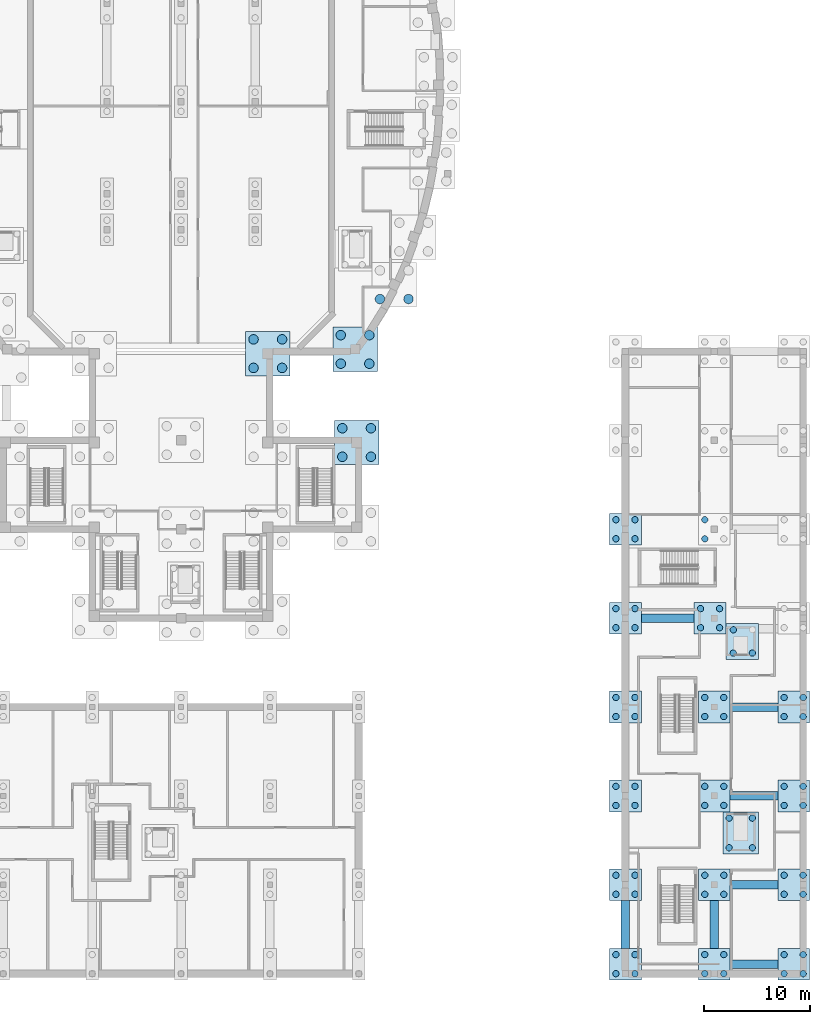
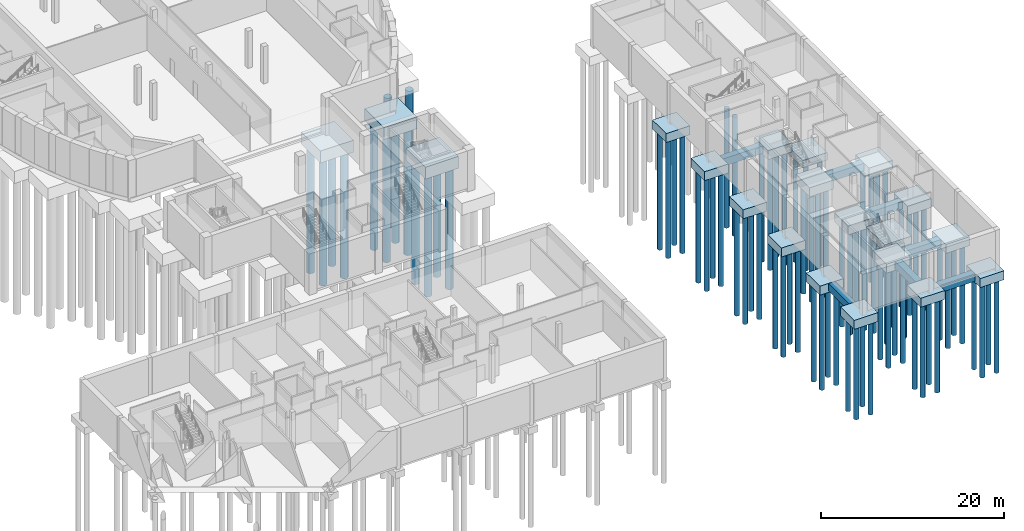
# One storey, part 3 of 33: 83 piles, 27 footings.
"""IFC4 building model written with IfcOpenShell, lengths in metres."""

from ifc_helpers import new_model, si_unit, direction, frame, origin, origin_2d, place, context, subcontext, project, spatial, polyline, circle, outline, extrude, material, material_profile, profile_set, type_object, element, save


model = new_model("IFC4")

# Units and contexts
model_context = context("Model", 3, precision=1e-05, world=origin(), true_north=direction((0.0, 1.0)))
body_context = subcontext(model_context, "Body", "Model", "MODEL_VIEW")
ifc_project = project(units=[si_unit("LENGTHUNIT", "METRE"), si_unit("AREAUNIT", "SQUARE_METRE"), si_unit("VOLUMEUNIT", "CUBIC_METRE"), si_unit("PLANEANGLEUNIT", "RADIAN"), si_unit("MASSUNIT", "GRAM", prefix="KILO")], contexts=[model_context])

# Site, building, storey
site_placement = place(None, origin())
site = spatial("IfcSite", under=ifc_project, at=site_placement, CompositionType="ELEMENT")
building_placement = place(site_placement, origin())
building = spatial("IfcBuilding", under=site, at=building_placement, Name="Larchfold Concert Hall", CompositionType="ELEMENT")
storey_placement = place(building_placement, frame((0.0, 0.0, -5.0)))
storey = spatial("IfcBuildingStorey", under=building, at=storey_placement, Name="B1", CompositionType="ELEMENT", Elevation=-5.0)

# Piles
ifc_material_1 = material(Name="Concrete C30/37", Category="concrete")
ifc_material_profile_1 = material_profile(ifc_material_1, circle(Radius=0.300048828125, at=origin_2d()))
ifc_profile_set_1 = profile_set([ifc_material_profile_1], Name="Concrete C30/37")
pile_type_1 = type_object("IfcPileType", Name="Bored pile D600", PredefinedType="BORED", material=ifc_profile_set_1)
for number, where, z_axis, x_axis, name in (
    (1, (83.699951171875, 0.60009765625, -1.60009765625), (0.0, 0.0, -1.0), (1.0, 0.0, 0.0), "Pile P0275"),
    (2, (83.699951171875, 2.39990234375, -1.60009765625), (0.0, 0.0, -1.0), (1.0, 0.0, 0.0), "Pile P0276"),
    (3, (85.5, 0.60009765625, -1.60009765625), (0.0, 0.0, -1.0), (1.0, 0.0, 0.0), "Pile P0277"),
    (4, (85.5, 2.39990234375, -1.60009765625), (0.0, 0.0, -1.0), (1.0, 0.0, 0.0), "Pile P0278"),
):
    element("IfcPile", number, at=place(storey_placement, frame(where, z_axis=z_axis, x_axis=x_axis)), inside=storey, type_object=pile_type_1, Name=name, PredefinedType="BORED", context=body_context, shape_type="SweptSolid", body=[
        extrude(circle(Radius=0.300048828125, at=origin_2d()), origin(), (0.0, 0.0, 1.0), 12.524169921875),
    ])
for number, where, z_axis, x_axis, name in (
    (5, (83.699951171875, 8.10009765625, -1.60009765625), (0.0, 0.0, -1.0), (1.0, 0.0, 0.0), "Pile P0279"),
    (6, (83.699951171875, 9.89990234375, -1.60009765625), (0.0, 0.0, -1.0), (1.0, 0.0, 0.0), "Pile P0280"),
    (7, (85.5, 8.10009765625, -1.60009765625), (0.0, 0.0, -1.0), (1.0, 0.0, 0.0), "Pile P0281"),
    (8, (85.5, 9.89990234375, -1.60009765625), (0.0, 0.0, -1.0), (1.0, 0.0, 0.0), "Pile P0282"),
):
    element("IfcPile", number, at=place(storey_placement, frame(where, z_axis=z_axis, x_axis=x_axis)), inside=storey, type_object=pile_type_1, Name=name, PredefinedType="BORED", context=body_context, shape_type="SweptSolid", body=[
        extrude(circle(Radius=0.300048828125, at=origin_2d()), origin(), (0.0, 0.0, 1.0), 13.144775390625),
    ])
for number, where, z_axis, x_axis, name in (
    (9, (83.699951171875, 16.5, -1.60009765625), (0.0, 0.0, -1.0), (1.0, 0.0, 0.0), "Pile P0283"),
    (10, (83.699951171875, 18.300048828125, -1.60009765625), (0.0, 0.0, -1.0), (1.0, 0.0, 0.0), "Pile P0284"),
    (11, (85.5, 16.5, -1.60009765625), (0.0, 0.0, -1.0), (1.0, 0.0, 0.0), "Pile P0285"),
    (12, (85.5, 18.300048828125, -1.60009765625), (0.0, 0.0, -1.0), (1.0, 0.0, 0.0), "Pile P0286"),
):
    element("IfcPile", number, at=place(storey_placement, frame(where, z_axis=z_axis, x_axis=x_axis)), inside=storey, type_object=pile_type_1, Name=name, PredefinedType="BORED", context=body_context, shape_type="SweptSolid", body=[
        extrude(circle(Radius=0.300048828125, at=origin_2d()), origin(), (0.0, 0.0, 1.0), 13.839599609375),
    ])
for number, where, z_axis, x_axis, name in (
    (13, (83.699951171875, 24.89990234375, -1.60009765625), (0.0, 0.0, -1.0), (1.0, 0.0, 0.0), "Pile P0287"),
    (14, (83.699951171875, 26.699951171875, -1.60009765625), (0.0, 0.0, -1.0), (1.0, 0.0, 0.0), "Pile P0288"),
    (15, (85.5, 24.89990234375, -1.60009765625), (0.0, 0.0, -1.0), (1.0, 0.0, 0.0), "Pile P0289"),
    (16, (85.5, 26.699951171875, -1.60009765625), (0.0, 0.0, -1.0), (1.0, 0.0, 0.0), "Pile P0290"),
):
    element("IfcPile", number, at=place(storey_placement, frame(where, z_axis=z_axis, x_axis=x_axis)), inside=storey, type_object=pile_type_1, Name=name, PredefinedType="BORED", context=body_context, shape_type="SweptSolid", body=[
        extrude(circle(Radius=0.300048828125, at=origin_2d()), origin(), (0.0, 0.0, 1.0), 14.53466796875),
    ])
for number, where, z_axis, x_axis, name in (
    (17, (83.699951171875, 33.300048828125, -1.60009765625), (0.0, 0.0, -1.0), (1.0, 0.0, 0.0), "Pile P0291"),
    (18, (83.699951171875, 35.10009765625, -1.60009765625), (0.0, 0.0, -1.0), (1.0, 0.0, 0.0), "Pile P0292"),
    (19, (85.5, 33.300048828125, -1.60009765625), (0.0, 0.0, -1.0), (1.0, 0.0, 0.0), "Pile P0293"),
    (20, (85.5, 35.10009765625, -1.60009765625), (0.0, 0.0, -1.0), (1.0, 0.0, 0.0), "Pile P0294"),
):
    element("IfcPile", number, at=place(storey_placement, frame(where, z_axis=z_axis, x_axis=x_axis)), inside=storey, type_object=pile_type_1, Name=name, PredefinedType="BORED", context=body_context, shape_type="SweptSolid", body=[
        extrude(circle(Radius=0.300048828125, at=origin_2d()), origin(), (0.0, 0.0, 1.0), 15.229736328125),
    ])
for number, where, z_axis, x_axis, name in (
    (21, (83.699951171875, 41.699951171875, -1.60009765625), (0.0, 0.0, -1.0), (1.0, 0.0, 0.0), "Pile P0295"),
    (22, (83.699951171875, 43.5, -1.60009765625), (0.0, 0.0, -1.0), (1.0, 0.0, 0.0), "Pile P0296"),
    (23, (85.5, 41.699951171875, -1.60009765625), (0.0, 0.0, -1.0), (1.0, 0.0, 0.0), "Pile P0297"),
    (24, (85.5, 43.5, -1.60009765625), (0.0, 0.0, -1.0), (1.0, 0.0, 0.0), "Pile P0298"),
):
    element("IfcPile", number, at=place(storey_placement, frame(where, z_axis=z_axis, x_axis=x_axis)), inside=storey, type_object=pile_type_1, Name=name, PredefinedType="BORED", context=body_context, shape_type="SweptSolid", body=[
        extrude(circle(Radius=0.300048828125, at=origin_2d()), origin(), (0.0, 0.0, 1.0), 15.9248046875),
    ])
for number, where, z_axis, x_axis, name in (
    (25, (92.10009765625, 0.60009765625, -1.60009765625), (0.0, 0.0, -1.0), (1.0, 0.0, 0.0), "Pile P0307"),
    (26, (92.10009765625, 2.39990234375, -1.60009765625), (0.0, 0.0, -1.0), (1.0, 0.0, 0.0), "Pile P0308"),
    (27, (93.89990234375, 0.60009765625, -1.60009765625), (0.0, 0.0, -1.0), (1.0, 0.0, 0.0), "Pile P0309"),
    (28, (93.89990234375, 2.39990234375, -1.60009765625), (0.0, 0.0, -1.0), (1.0, 0.0, 0.0), "Pile P0310"),
):
    element("IfcPile", number, at=place(storey_placement, frame(where, z_axis=z_axis, x_axis=x_axis)), inside=storey, type_object=pile_type_1, Name=name, PredefinedType="BORED", context=body_context, shape_type="SweptSolid", body=[
        extrude(circle(Radius=0.300048828125, at=origin_2d()), origin(), (0.0, 0.0, 1.0), 12.524169921875),
    ])
for number, where, z_axis, x_axis, name in (
    (29, (92.10009765625, 8.10009765625, -1.60009765625), (0.0, 0.0, -1.0), (1.0, 0.0, 0.0), "Pile P0311"),
    (30, (92.10009765625, 9.89990234375, -1.60009765625), (0.0, 0.0, -1.0), (1.0, 0.0, 0.0), "Pile P0312"),
    (31, (93.89990234375, 8.10009765625, -1.60009765625), (0.0, 0.0, -1.0), (1.0, 0.0, 0.0), "Pile P0313"),
    (32, (93.89990234375, 9.89990234375, -1.60009765625), (0.0, 0.0, -1.0), (1.0, 0.0, 0.0), "Pile P0314"),
):
    element("IfcPile", number, at=place(storey_placement, frame(where, z_axis=z_axis, x_axis=x_axis)), inside=storey, type_object=pile_type_1, Name=name, PredefinedType="BORED", context=body_context, shape_type="SweptSolid", body=[
        extrude(circle(Radius=0.300048828125, at=origin_2d()), origin(), (0.0, 0.0, 1.0), 13.144775390625),
    ])
for number, where, z_axis, x_axis, name in (
    (33, (92.10009765625, 16.5, -1.60009765625), (0.0, 0.0, -1.0), (1.0, 0.0, 0.0), "Pile P0315"),
    (34, (92.10009765625, 18.300048828125, -1.60009765625), (0.0, 0.0, -1.0), (1.0, 0.0, 0.0), "Pile P0316"),
    (35, (93.89990234375, 16.5, -1.60009765625), (0.0, 0.0, -1.0), (1.0, 0.0, 0.0), "Pile P0317"),
    (36, (93.89990234375, 18.300048828125, -1.60009765625), (0.0, 0.0, -1.0), (1.0, 0.0, 0.0), "Pile P0318"),
):
    element("IfcPile", number, at=place(storey_placement, frame(where, z_axis=z_axis, x_axis=x_axis)), inside=storey, type_object=pile_type_1, Name=name, PredefinedType="BORED", context=body_context, shape_type="SweptSolid", body=[
        extrude(circle(Radius=0.300048828125, at=origin_2d()), origin(), (0.0, 0.0, 1.0), 13.839599609375),
    ])
for number, where, z_axis, x_axis, name in (
    (37, (92.10009765625, 24.89990234375, -1.60009765625), (0.0, 0.0, -1.0), (1.0, 0.0, 0.0), "Pile P0319"),
    (38, (92.10009765625, 26.699951171875, -1.60009765625), (0.0, 0.0, -1.0), (1.0, 0.0, 0.0), "Pile P0320"),
    (39, (93.89990234375, 24.89990234375, -1.60009765625), (0.0, 0.0, -1.0), (1.0, 0.0, 0.0), "Pile P0321"),
    (40, (93.89990234375, 26.699951171875, -1.60009765625), (0.0, 0.0, -1.0), (1.0, 0.0, 0.0), "Pile P0322"),
):
    element("IfcPile", number, at=place(storey_placement, frame(where, z_axis=z_axis, x_axis=x_axis)), inside=storey, type_object=pile_type_1, Name=name, PredefinedType="BORED", context=body_context, shape_type="SweptSolid", body=[
        extrude(circle(Radius=0.300048828125, at=origin_2d()), origin(), (0.0, 0.0, 1.0), 14.53466796875),
    ])
for number, where, z_axis, x_axis, name in (
    (41, (91.699951171875, 33.300048828125, -1.60009765625), (0.0, 0.0, -1.0), (1.0, 0.0, 0.0), "Pile P0323"),
    (42, (91.699951171875, 35.10009765625, -1.60009765625), (0.0, 0.0, -1.0), (1.0, 0.0, 0.0), "Pile P0324"),
    (43, (93.5, 33.300048828125, -1.60009765625), (0.0, 0.0, -1.0), (1.0, 0.0, 0.0), "Pile P0325"),
    (44, (93.5, 35.10009765625, -1.60009765625), (0.0, 0.0, -1.0), (1.0, 0.0, 0.0), "Pile P0326"),
):
    element("IfcPile", number, at=place(storey_placement, frame(where, z_axis=z_axis, x_axis=x_axis)), inside=storey, type_object=pile_type_1, Name=name, PredefinedType="BORED", context=body_context, shape_type="SweptSolid", body=[
        extrude(circle(Radius=0.300048828125, at=origin_2d()), origin(), (0.0, 0.0, 1.0), 15.229736328125),
    ])
for number, where, z_axis, x_axis, name in (
    (45, (92.10009765625, 41.699951171875, -1.60009765625), (0.0, 0.0, -1.0), (1.0, 0.0, 0.0), "Pile P0327"),
    (46, (92.10009765625, 43.5, -1.60009765625), (0.0, 0.0, -1.0), (1.0, 0.0, 0.0), "Pile P0328"),
):
    element("IfcPile", number, at=place(storey_placement, frame(where, z_axis=z_axis, x_axis=x_axis)), inside=storey, type_object=pile_type_1, Name=name, PredefinedType="BORED", context=body_context, shape_type="SweptSolid", body=[
        extrude(circle(Radius=0.300048828125, at=origin_2d()), origin(), (0.0, 0.0, 1.0), 15.9248046875),
    ])
for number, where, z_axis, x_axis, name in (
    (47, (99.60009765625, 0.60009765625, -1.60009765625), (0.0, 0.0, -1.0), (1.0, 0.0, 0.0), "Pile P0339"),
    (48, (99.60009765625, 2.39990234375, -1.60009765625), (0.0, 0.0, -1.0), (1.0, 0.0, 0.0), "Pile P0340"),
    (49, (101.39990234375, 0.60009765625, -1.60009765625), (0.0, 0.0, -1.0), (1.0, 0.0, 0.0), "Pile P0341"),
    (50, (101.39990234375, 2.39990234375, -1.60009765625), (0.0, 0.0, -1.0), (1.0, 0.0, 0.0), "Pile P0342"),
):
    element("IfcPile", number, at=place(storey_placement, frame(where, z_axis=z_axis, x_axis=x_axis)), inside=storey, type_object=pile_type_1, Name=name, PredefinedType="BORED", context=body_context, shape_type="SweptSolid", body=[
        extrude(circle(Radius=0.300048828125, at=origin_2d()), origin(), (0.0, 0.0, 1.0), 12.524169921875),
    ])
for number, where, z_axis, x_axis, name in (
    (51, (99.60009765625, 8.10009765625, -1.60009765625), (0.0, 0.0, -1.0), (1.0, 0.0, 0.0), "Pile P0343"),
    (52, (99.60009765625, 9.89990234375, -1.60009765625), (0.0, 0.0, -1.0), (1.0, 0.0, 0.0), "Pile P0344"),
    (53, (101.39990234375, 8.10009765625, -1.60009765625), (0.0, 0.0, -1.0), (1.0, 0.0, 0.0), "Pile P0345"),
    (54, (101.39990234375, 9.89990234375, -1.60009765625), (0.0, 0.0, -1.0), (1.0, 0.0, 0.0), "Pile P0346"),
):
    element("IfcPile", number, at=place(storey_placement, frame(where, z_axis=z_axis, x_axis=x_axis)), inside=storey, type_object=pile_type_1, Name=name, PredefinedType="BORED", context=body_context, shape_type="SweptSolid", body=[
        extrude(circle(Radius=0.300048828125, at=origin_2d()), origin(), (0.0, 0.0, 1.0), 13.144775390625),
    ])
for number, where, z_axis, x_axis, name in (
    (55, (99.60009765625, 16.5, -1.60009765625), (0.0, 0.0, -1.0), (1.0, 0.0, 0.0), "Pile P0347"),
    (56, (99.60009765625, 18.300048828125, -1.60009765625), (0.0, 0.0, -1.0), (1.0, 0.0, 0.0), "Pile P0348"),
    (57, (101.39990234375, 16.5, -1.60009765625), (0.0, 0.0, -1.0), (1.0, 0.0, 0.0), "Pile P0349"),
    (58, (101.39990234375, 18.300048828125, -1.60009765625), (0.0, 0.0, -1.0), (1.0, 0.0, 0.0), "Pile P0350"),
):
    element("IfcPile", number, at=place(storey_placement, frame(where, z_axis=z_axis, x_axis=x_axis)), inside=storey, type_object=pile_type_1, Name=name, PredefinedType="BORED", context=body_context, shape_type="SweptSolid", body=[
        extrude(circle(Radius=0.300048828125, at=origin_2d()), origin(), (0.0, 0.0, 1.0), 13.839599609375),
    ])
for number, where, z_axis, x_axis, name in (
    (59, (99.60009765625, 24.89990234375, -1.60009765625), (0.0, 0.0, -1.0), (1.0, 0.0, 0.0), "Pile P0351"),
    (60, (99.60009765625, 26.699951171875, -1.60009765625), (0.0, 0.0, -1.0), (1.0, 0.0, 0.0), "Pile P0352"),
    (61, (101.39990234375, 24.89990234375, -1.60009765625), (0.0, 0.0, -1.0), (1.0, 0.0, 0.0), "Pile P0353"),
    (62, (101.39990234375, 26.699951171875, -1.60009765625), (0.0, 0.0, -1.0), (1.0, 0.0, 0.0), "Pile P0354"),
):
    element("IfcPile", number, at=place(storey_placement, frame(where, z_axis=z_axis, x_axis=x_axis)), inside=storey, type_object=pile_type_1, Name=name, PredefinedType="BORED", context=body_context, shape_type="SweptSolid", body=[
        extrude(circle(Radius=0.300048828125, at=origin_2d()), origin(), (0.0, 0.0, 1.0), 14.53466796875),
    ])
pile_1_placement = place(storey_placement, frame((94.400146484375, 12.5, -2.300048828125), z_axis=(0.0, 0.0, -1.0), x_axis=(1.0, 0.0, 0.0)))
element("IfcPile", 63, at=pile_1_placement, inside=storey, type_object=pile_type_1, Name="Pile P0383", PredefinedType="BORED", context=body_context, shape_type="SweptSolid", body=[
    extrude(circle(Radius=0.300048828125, at=origin_2d()), origin(), (0.0, 0.0, 1.0), 12.734375),
])
pile_2_placement = place(storey_placement, frame((94.400146484375, 15.300048828125, -2.300048828125), z_axis=(0.0, 0.0, -1.0), x_axis=(1.0, 0.0, 0.0)))
element("IfcPile", 64, at=pile_2_placement, inside=storey, type_object=pile_type_1, Name="Pile P0384", PredefinedType="BORED", context=body_context, shape_type="SweptSolid", body=[
    extrude(circle(Radius=0.300048828125, at=origin_2d()), origin(), (0.0, 0.0, 1.0), 12.966064453125),
])
pile_3_placement = place(storey_placement, frame((96.60009765625, 12.5, -2.300048828125), z_axis=(0.0, 0.0, -1.0), x_axis=(1.0, 0.0, 0.0)))
element("IfcPile", 65, at=pile_3_placement, inside=storey, type_object=pile_type_1, Name="Pile P0385", PredefinedType="BORED", context=body_context, shape_type="SweptSolid", body=[
    extrude(circle(Radius=0.300048828125, at=origin_2d()), origin(), (0.0, 0.0, 1.0), 12.734375),
])
pile_4_placement = place(storey_placement, frame((96.60009765625, 15.300048828125, -2.300048828125), z_axis=(0.0, 0.0, -1.0), x_axis=(1.0, 0.0, 0.0)))
element("IfcPile", 66, at=pile_4_placement, inside=storey, type_object=pile_type_1, Name="Pile P0386", PredefinedType="BORED", context=body_context, shape_type="SweptSolid", body=[
    extrude(circle(Radius=0.300048828125, at=origin_2d()), origin(), (0.0, 0.0, 1.0), 12.966064453125),
])
pile_5_placement = place(storey_placement, frame((94.800048828125, 30.900146484375, -2.300048828125), z_axis=(0.0, 0.0, -1.0), x_axis=(1.0, 0.0, 0.0)))
element("IfcPile", 67, at=pile_5_placement, inside=storey, type_object=pile_type_1, Name="Pile P0387", PredefinedType="BORED", context=body_context, shape_type="SweptSolid", body=[
    extrude(circle(Radius=0.300048828125, at=origin_2d()), origin(), (0.0, 0.0, 1.0), 14.2568359375),
])
pile_6_placement = place(storey_placement, frame((94.800048828125, 33.10009765625, -2.300048828125), z_axis=(0.0, 0.0, -1.0), x_axis=(1.0, 0.0, 0.0)))
element("IfcPile", 68, at=pile_6_placement, inside=storey, type_object=pile_type_1, Name="Pile P0388", PredefinedType="BORED", context=body_context, shape_type="SweptSolid", body=[
    extrude(circle(Radius=0.300048828125, at=origin_2d()), origin(), (0.0, 0.0, 1.0), 14.438720703125),
])
pile_7_placement = place(storey_placement, frame((96.60009765625, 30.900146484375, -2.300048828125), z_axis=(0.0, 0.0, -1.0), x_axis=(1.0, 0.0, 0.0)))
element("IfcPile", 69, at=pile_7_placement, inside=storey, type_object=pile_type_1, Name="Pile P0389", PredefinedType="BORED", context=body_context, shape_type="SweptSolid", body=[
    extrude(circle(Radius=0.300048828125, at=origin_2d()), origin(), (0.0, 0.0, 1.0), 14.2568359375),
])
ifc_material_2 = material(Name="Concrete C30/37", Category="concrete")
ifc_material_profile_2 = material_profile(ifc_material_2, circle(Radius=0.449951171875, at=origin_2d()))
ifc_profile_set_2 = profile_set([ifc_material_profile_2], Name="Concrete C30/37")
pile_type_2 = type_object("IfcPileType", Name="Bored pile D900", PredefinedType="BORED", material=ifc_profile_set_2)
for number, where, z_axis, x_axis, name in (
    (70, (49.449951171875, 57.849853515625, -2.0), (0.0, 0.0, -1.0), (1.0, 0.0, 0.0), "Pile P0195"),
    (71, (49.449951171875, 60.550048828125, -2.0), (0.0, 0.0, -1.0), (1.0, 0.0, 0.0), "Pile P0196"),
    (72, (52.150146484375, 57.849853515625, -2.0), (0.0, 0.0, -1.0), (1.0, 0.0, 0.0), "Pile P0197"),
    (73, (52.150146484375, 60.550048828125, -2.0), (0.0, 0.0, -1.0), (1.0, 0.0, 0.0), "Pile P0198"),
):
    element("IfcPile", number, at=place(storey_placement, frame(where, z_axis=z_axis, x_axis=x_axis)), inside=storey, type_object=pile_type_2, Name=name, PredefinedType="BORED", context=body_context, shape_type="SweptSolid", body=[
        extrude(circle(Radius=0.449951171875, at=origin_2d()), origin(), (0.0, 0.0, 1.0), 16.8984375),
    ])
for number, where, z_axis, x_axis, name in (
    (74, (57.697021484375, 58.25, -2.0), (0.0, 0.0, -1.0), (1.0, 0.0, 0.0), "Pile P0215"),
    (75, (57.697021484375, 60.949951171875, -2.0), (0.0, 0.0, -1.0), (1.0, 0.0, 0.0), "Pile P0216"),
    (76, (60.397216796875, 58.25, -2.0), (0.0, 0.0, -1.0), (1.0, 0.0, 0.0), "Pile P0217"),
    (77, (60.397216796875, 60.949951171875, -2.0), (0.0, 0.0, -1.0), (1.0, 0.0, 0.0), "Pile P0218"),
):
    element("IfcPile", number, at=place(storey_placement, frame(where, z_axis=z_axis, x_axis=x_axis)), inside=storey, type_object=pile_type_2, Name=name, PredefinedType="BORED", context=body_context, shape_type="SweptSolid", body=[
        extrude(circle(Radius=0.449951171875, at=origin_2d()), origin(), (0.0, 0.0, 1.0), 16.931396484375),
    ])
for number, where, z_axis, x_axis, name in (
    (78, (57.849853515625, 49.449951171875, -2.0), (0.0, 0.0, -1.0), (1.0, 0.0, 0.0), "Pile P0223"),
    (79, (57.849853515625, 52.150146484375, -2.0), (0.0, 0.0, -1.0), (1.0, 0.0, 0.0), "Pile P0224"),
    (80, (60.550048828125, 49.449951171875, -2.0), (0.0, 0.0, -1.0), (1.0, 0.0, 0.0), "Pile P0225"),
    (81, (60.550048828125, 52.150146484375, -2.0), (0.0, 0.0, -1.0), (1.0, 0.0, 0.0), "Pile P0226"),
):
    element("IfcPile", number, at=place(storey_placement, frame(where, z_axis=z_axis, x_axis=x_axis)), inside=storey, type_object=pile_type_2, Name=name, PredefinedType="BORED", context=body_context, shape_type="SweptSolid", body=[
        extrude(circle(Radius=0.449951171875, at=origin_2d()), origin(), (0.0, 0.0, 1.0), 16.203369140625),
    ])
for number, where, z_axis, x_axis, name in (
    (82, (61.398193359375, 64.359130859375, -2.0), (0.0, 0.0, -1.0), (1.0, 0.0, 0.0), "Pile P0243"),
    (83, (64.09814453125, 64.359130859375, -2.0), (0.0, 0.0, -1.0), (1.0, 0.0, 0.0), "Pile P0245"),
):
    element("IfcPile", number, at=place(storey_placement, frame(where, z_axis=z_axis, x_axis=x_axis)), inside=storey, type_object=pile_type_2, Name=name, PredefinedType="BORED", context=body_context, shape_type="SweptSolid", body=[
        extrude(circle(Radius=0.449951171875, at=origin_2d()), origin(), (0.0, 0.0, 1.0), 17.43701171875),
    ])

# Footings
ifc_material_3 = material(Name="Concrete C30/37", Category="concrete")
footing_type_1 = type_object("IfcFootingType", Name="Pad footing 3100x3400x1000", PredefinedType="PAD_FOOTING", material=ifc_material_3)
footing_1_placement = place(storey_placement, frame((0.0, 0.0, -2.39990234375)))
element("IfcFooting", 84, at=footing_1_placement, inside=storey, type_object=footing_type_1, Name="Pit footing PC0119", PredefinedType="PAD_FOOTING", context=body_context, shape_type="SweptSolid", body=[
    extrude(outline(polyline([(97.199951171875, 30.300048828125), (97.199951171875, 33.7001953125), (94.10009765625, 33.7001953125), (94.10009765625, 30.300048828125), (97.199951171875, 30.300048828125)])), origin(), (0.0, 0.0, 1.0), 1.0),
])
ifc_material_4 = material(Name="Concrete C30/37", Category="concrete")
footing_type_2 = type_object("IfcFootingType", Name="Pad footing 3400x4000x1000", PredefinedType="PAD_FOOTING", material=ifc_material_4)
footing_2_placement = place(storey_placement, frame((0.0, 0.0, -2.39990234375)))
element("IfcFooting", 85, at=footing_2_placement, inside=storey, type_object=footing_type_2, Name="Pit footing PC0118", PredefinedType="PAD_FOOTING", context=body_context, shape_type="SweptSolid", body=[
    extrude(outline(polyline([(97.2001953125, 11.89990234375), (97.2001953125, 15.89990234375), (93.800048828125, 15.89990234375), (93.800048828125, 11.89990234375), (97.2001953125, 11.89990234375)])), origin(), (0.0, 0.0, 1.0), 1.0),
])
ifc_material_5 = material(Name="Concrete C30/37", Category="concrete")
footing_type_3 = type_object("IfcFootingType", Name="Pile cap 3000x3000x1200", PredefinedType="PILE_CAP", material=ifc_material_5)
footing_3_placement = place(storey_placement, frame((0.0, 0.0, -1.699951171875)))
element("IfcFooting", 86, at=footing_3_placement, inside=storey, type_object=footing_type_3, Name="Pile cap PC0091", PredefinedType="PILE_CAP", context=body_context, shape_type="SweptSolid", body=[
    extrude(outline(polyline([(86.10009765625, 0.0), (86.10009765625, 3.0), (83.10009765625, 3.0), (83.10009765625, 0.0), (86.10009765625, 0.0)])), origin(), (0.0, 0.0, 1.0), 1.199951171875),
])
footing_4_placement = place(storey_placement, frame((0.0, 0.0, -1.699951171875)))
element("IfcFooting", 87, at=footing_4_placement, inside=storey, type_object=footing_type_3, Name="Pile cap PC0092", PredefinedType="PILE_CAP", context=body_context, shape_type="SweptSolid", body=[
    extrude(outline(polyline([(86.10009765625, 7.5), (86.10009765625, 10.5), (83.10009765625, 10.5), (83.10009765625, 7.5), (86.10009765625, 7.5)])), origin(), (0.0, 0.0, 1.0), 1.199951171875),
])
footing_5_placement = place(storey_placement, frame((0.0, 0.0, -1.699951171875)))
element("IfcFooting", 88, at=footing_5_placement, inside=storey, type_object=footing_type_3, Name="Pile cap PC0093", PredefinedType="PILE_CAP", context=body_context, shape_type="SweptSolid", body=[
    extrude(outline(polyline([(86.10009765625, 15.89990234375), (86.10009765625, 18.89990234375), (83.10009765625, 18.89990234375), (83.10009765625, 15.89990234375), (86.10009765625, 15.89990234375)])), origin(), (0.0, 0.0, 1.0), 1.199951171875),
])
footing_6_placement = place(storey_placement, frame((0.0, 0.0, -1.699951171875)))
element("IfcFooting", 89, at=footing_6_placement, inside=storey, type_object=footing_type_3, Name="Pile cap PC0094", PredefinedType="PILE_CAP", context=body_context, shape_type="SweptSolid", body=[
    extrude(outline(polyline([(86.10009765625, 24.300048828125), (86.10009765625, 27.300048828125), (83.10009765625, 27.300048828125), (83.10009765625, 24.300048828125), (86.10009765625, 24.300048828125)])), origin(), (0.0, 0.0, 1.0), 1.199951171875),
])
footing_7_placement = place(storey_placement, frame((0.0, 0.0, -1.699951171875)))
element("IfcFooting", 90, at=footing_7_placement, inside=storey, type_object=footing_type_3, Name="Pile cap PC0095", PredefinedType="PILE_CAP", context=body_context, shape_type="SweptSolid", body=[
    extrude(outline(polyline([(86.10009765625, 32.699951171875), (86.10009765625, 35.699951171875), (83.10009765625, 35.699951171875), (83.10009765625, 32.699951171875), (86.10009765625, 32.699951171875)])), origin(), (0.0, 0.0, 1.0), 1.199951171875),
])
footing_8_placement = place(storey_placement, frame((0.0, 0.0, -1.699951171875)))
element("IfcFooting", 91, at=footing_8_placement, inside=storey, type_object=footing_type_3, Name="Pile cap PC0096", PredefinedType="PILE_CAP", context=body_context, shape_type="SweptSolid", body=[
    extrude(outline(polyline([(86.10009765625, 41.10009765625), (86.10009765625, 44.10009765625), (83.10009765625, 44.10009765625), (83.10009765625, 41.10009765625), (86.10009765625, 41.10009765625)])), origin(), (0.0, 0.0, 1.0), 1.199951171875),
])
footing_9_placement = place(storey_placement, frame((0.0, 0.0, -1.699951171875)))
element("IfcFooting", 92, at=footing_9_placement, inside=storey, type_object=footing_type_3, Name="Pile cap PC0099", PredefinedType="PILE_CAP", context=body_context, shape_type="SweptSolid", body=[
    extrude(outline(polyline([(94.5, 0.0), (94.5, 3.0), (91.5, 3.0), (91.5, 0.0), (94.5, 0.0)])), origin(), (0.0, 0.0, 1.0), 1.199951171875),
])
footing_10_placement = place(storey_placement, frame((0.0, 0.0, -1.699951171875)))
element("IfcFooting", 93, at=footing_10_placement, inside=storey, type_object=footing_type_3, Name="Pile cap PC0100", PredefinedType="PILE_CAP", context=body_context, shape_type="SweptSolid", body=[
    extrude(outline(polyline([(94.5, 7.5), (94.5, 10.5), (91.5, 10.5), (91.5, 7.5), (94.5, 7.5)])), origin(), (0.0, 0.0, 1.0), 1.199951171875),
])
footing_11_placement = place(storey_placement, frame((0.0, 0.0, -1.699951171875)))
element("IfcFooting", 94, at=footing_11_placement, inside=storey, type_object=footing_type_3, Name="Pile cap PC0101", PredefinedType="PILE_CAP", context=body_context, shape_type="SweptSolid", body=[
    extrude(outline(polyline([(94.5, 15.89990234375), (94.5, 18.89990234375), (91.5, 18.89990234375), (91.5, 15.89990234375), (94.5, 15.89990234375)])), origin(), (0.0, 0.0, 1.0), 1.199951171875),
])
footing_12_placement = place(storey_placement, frame((0.0, 0.0, -1.699951171875)))
element("IfcFooting", 95, at=footing_12_placement, inside=storey, type_object=footing_type_3, Name="Pile cap PC0102", PredefinedType="PILE_CAP", context=body_context, shape_type="SweptSolid", body=[
    extrude(outline(polyline([(94.5, 24.300048828125), (94.5, 27.300048828125), (91.5, 27.300048828125), (91.5, 24.300048828125), (94.5, 24.300048828125)])), origin(), (0.0, 0.0, 1.0), 1.199951171875),
])
footing_13_placement = place(storey_placement, frame((0.0, 0.0, -1.699951171875)))
element("IfcFooting", 96, at=footing_13_placement, inside=storey, type_object=footing_type_3, Name="Pile cap PC0103", PredefinedType="PILE_CAP", context=body_context, shape_type="SweptSolid", body=[
    extrude(outline(polyline([(94.10009765625, 32.699951171875), (94.10009765625, 35.699951171875), (91.10009765625, 35.699951171875), (91.10009765625, 32.699951171875), (94.10009765625, 32.699951171875)])), origin(), (0.0, 0.0, 1.0), 1.199951171875),
])
footing_14_placement = place(storey_placement, frame((0.0, 0.0, -1.699951171875)))
element("IfcFooting", 97, at=footing_14_placement, inside=storey, type_object=footing_type_3, Name="Pile cap PC0107", PredefinedType="PILE_CAP", context=body_context, shape_type="SweptSolid", body=[
    extrude(outline(polyline([(102.0, 0.0), (102.0, 3.0), (99.0, 3.0), (99.0, 0.0), (102.0, 0.0)])), origin(), (0.0, 0.0, 1.0), 1.199951171875),
])
footing_15_placement = place(storey_placement, frame((0.0, 0.0, -1.699951171875)))
element("IfcFooting", 98, at=footing_15_placement, inside=storey, type_object=footing_type_3, Name="Pile cap PC0108", PredefinedType="PILE_CAP", context=body_context, shape_type="SweptSolid", body=[
    extrude(outline(polyline([(102.0, 7.5), (102.0, 10.5), (99.0, 10.5), (99.0, 7.5), (102.0, 7.5)])), origin(), (0.0, 0.0, 1.0), 1.199951171875),
])
footing_16_placement = place(storey_placement, frame((0.0, 0.0, -1.699951171875)))
element("IfcFooting", 99, at=footing_16_placement, inside=storey, type_object=footing_type_3, Name="Pile cap PC0109", PredefinedType="PILE_CAP", context=body_context, shape_type="SweptSolid", body=[
    extrude(outline(polyline([(102.0, 15.89990234375), (102.0, 18.89990234375), (99.0, 18.89990234375), (99.0, 15.89990234375), (102.0, 15.89990234375)])), origin(), (0.0, 0.0, 1.0), 1.199951171875),
])
footing_17_placement = place(storey_placement, frame((0.0, 0.0, -1.699951171875)))
element("IfcFooting", 100, at=footing_17_placement, inside=storey, type_object=footing_type_3, Name="Pile cap PC0110", PredefinedType="PILE_CAP", context=body_context, shape_type="SweptSolid", body=[
    extrude(outline(polyline([(102.0, 24.300048828125), (102.0, 27.300048828125), (99.0, 27.300048828125), (99.0, 24.300048828125), (102.0, 24.300048828125)])), origin(), (0.0, 0.0, 1.0), 1.199951171875),
])
ifc_material_6 = material(Name="Concrete C30/37", Category="concrete")
footing_type_4 = type_object("IfcFootingType", Name="Pile cap 4200x4200x1600", PredefinedType="PILE_CAP", material=ifc_material_6)
footing_18_placement = place(storey_placement, frame((0.0, 0.0, -2.10009765625)))
element("IfcFooting", 101, at=footing_18_placement, inside=storey, type_object=footing_type_4, Name="Pile cap PC0067", PredefinedType="PILE_CAP", context=body_context, shape_type="SweptSolid", body=[
    extrude(outline(polyline([(52.900146484375, 57.099853515625), (52.900146484375, 61.300048828125), (48.699951171875, 61.300048828125), (48.699951171875, 57.099853515625), (52.900146484375, 57.099853515625)])), origin(), (0.0, 0.0, 1.0), 1.60009765625),
])
footing_19_placement = place(storey_placement, frame((0.0, 0.0, -2.10009765625)))
element("IfcFooting", 102, at=footing_19_placement, inside=storey, type_object=footing_type_4, Name="Pile cap PC0074", PredefinedType="PILE_CAP", context=body_context, shape_type="SweptSolid", body=[
    extrude(outline(polyline([(61.147216796875, 57.5), (61.147216796875, 61.699951171875), (56.947021484375, 61.699951171875), (56.947021484375, 57.5), (61.147216796875, 57.5)])), origin(), (0.0, 0.0, 1.0), 1.60009765625),
])
footing_20_placement = place(storey_placement, frame((0.0, 0.0, -2.10009765625)))
element("IfcFooting", 103, at=footing_20_placement, inside=storey, type_object=footing_type_4, Name="Pile cap PC0076", PredefinedType="PILE_CAP", context=body_context, shape_type="SweptSolid", body=[
    extrude(outline(polyline([(61.300048828125, 48.699951171875), (61.300048828125, 52.900146484375), (57.099853515625, 52.900146484375), (57.099853515625, 48.699951171875), (61.300048828125, 48.699951171875)])), origin(), (0.0, 0.0, 1.0), 1.60009765625),
])
ifc_material_7 = material(Name="Concrete C30/37", Category="concrete")
footing_type_5 = type_object("IfcFootingType", Name="Strip footing 800x1000", PredefinedType="STRIP_FOOTING", material=ifc_material_7)
footing_21_placement = place(storey_placement, frame((0.0, 0.0, -1.5)))
element("IfcFooting", 104, at=footing_21_placement, inside=storey, type_object=footing_type_5, Name="Ground beam GB0018", PredefinedType="STRIP_FOOTING", context=body_context, shape_type="SweptSolid", body=[
    extrude(outline(polyline([(84.199951171875, 3.0), (85.0, 3.0), (85.0, 7.5), (84.199951171875, 7.5), (84.199951171875, 3.0)])), origin(), (0.0, 0.0, 1.0), 1.0),
])
footing_22_placement = place(storey_placement, frame((0.0, 0.0, -1.5)))
element("IfcFooting", 105, at=footing_22_placement, inside=storey, type_object=footing_type_5, Name="Ground beam GB0019", PredefinedType="STRIP_FOOTING", context=body_context, shape_type="SweptSolid", body=[
    extrude(outline(polyline([(92.60009765625, 3.0), (93.39990234375, 3.0), (93.39990234375, 7.5), (92.60009765625, 7.5), (92.60009765625, 3.0)])), origin(), (0.0, 0.0, 1.0), 1.0),
])
footing_23_placement = place(storey_placement, frame((0.0, 0.0, -1.5)))
element("IfcFooting", 106, at=footing_23_placement, inside=storey, type_object=footing_type_5, Name="Ground beam GB0020", PredefinedType="STRIP_FOOTING", context=body_context, shape_type="SweptSolid", body=[
    extrude(outline(polyline([(86.10009765625, 34.60009765625), (86.10009765625, 33.800048828125), (91.10009765625, 33.800048828125), (91.10009765625, 34.60009765625), (86.10009765625, 34.60009765625)])), origin(), (0.0, 0.0, 1.0), 1.0),
])
footing_24_placement = place(storey_placement, frame((0.0, 0.0, -1.5)))
element("IfcFooting", 107, at=footing_24_placement, inside=storey, type_object=footing_type_5, Name="Ground beam GB0021", PredefinedType="STRIP_FOOTING", context=body_context, shape_type="SweptSolid", body=[
    extrude(outline(polyline([(94.5, 1.89990234375), (94.5, 1.10009765625), (99.0, 1.10009765625), (99.0, 1.89990234375), (94.5, 1.89990234375)])), origin(), (0.0, 0.0, 1.0), 1.0),
])
footing_25_placement = place(storey_placement, frame((0.0, 0.0, -1.5)))
element("IfcFooting", 108, at=footing_25_placement, inside=storey, type_object=footing_type_5, Name="Ground beam GB0022", PredefinedType="STRIP_FOOTING", context=body_context, shape_type="SweptSolid", body=[
    extrude(outline(polyline([(94.5, 9.39990234375), (94.5, 8.60009765625), (99.0, 8.60009765625), (99.0, 9.39990234375), (94.5, 9.39990234375)])), origin(), (0.0, 0.0, 1.0), 1.0),
])
footing_26_placement = place(storey_placement, frame((0.0, 0.0, -1.5)))
element("IfcFooting", 109, at=footing_26_placement, inside=storey, type_object=footing_type_5, Name="Ground beam GB0023", PredefinedType="STRIP_FOOTING", context=body_context, shape_type="SweptSolid", body=[
    extrude(outline(polyline([(94.5, 17.800048828125), (94.5, 17.0), (99.0, 17.0), (99.0, 17.800048828125), (94.5, 17.800048828125)])), origin(), (0.0, 0.0, 1.0), 1.0),
])
footing_27_placement = place(storey_placement, frame((0.0, 0.0, -1.5)))
element("IfcFooting", 110, at=footing_27_placement, inside=storey, type_object=footing_type_5, Name="Ground beam GB0024", PredefinedType="STRIP_FOOTING", context=body_context, shape_type="SweptSolid", body=[
    extrude(outline(polyline([(94.5, 26.199951171875), (94.5, 25.39990234375), (99.0, 25.39990234375), (99.0, 26.199951171875), (94.5, 26.199951171875)])), origin(), (0.0, 0.0, 1.0), 1.0),
])

save(model, "model.ifc")
